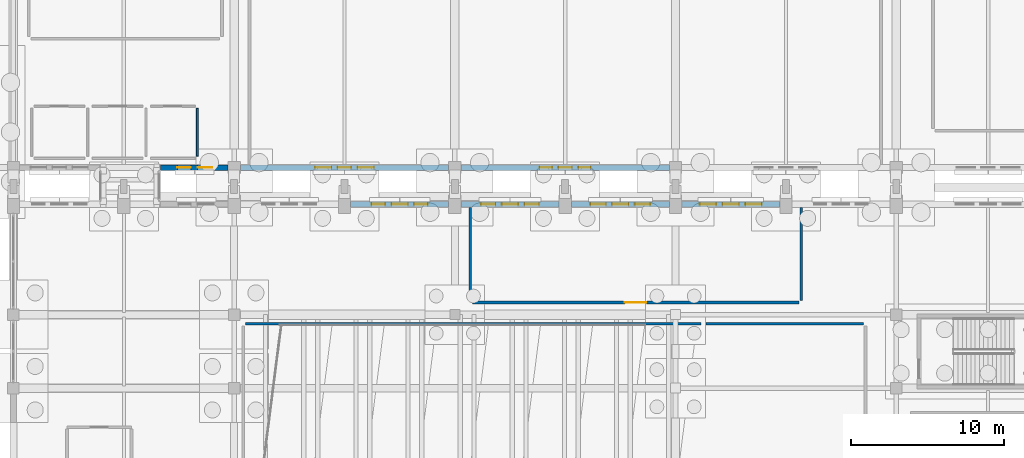
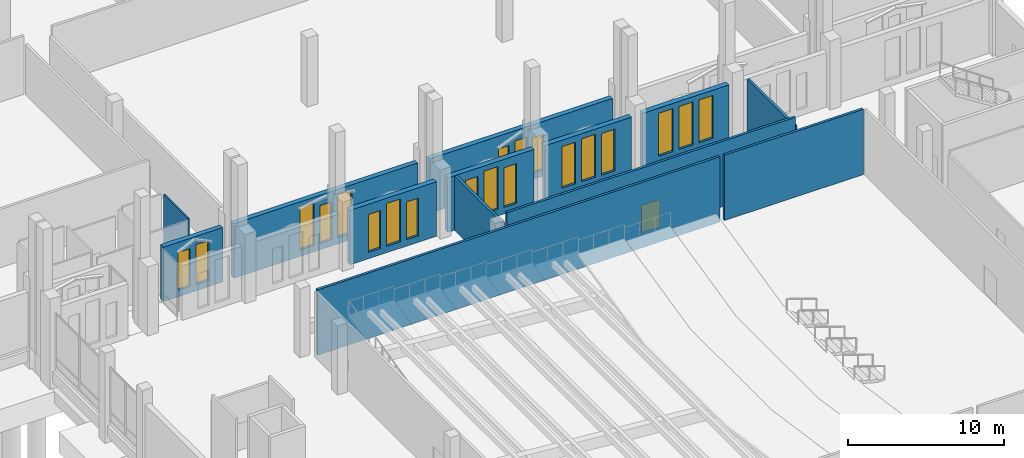
# One storey, part 145 of 192: 20 windows, 13 walls, 1 door, 21 openings.
"""IFC4 building model written with IfcOpenShell, lengths in metres."""

import ifcopenshell
import ifcopenshell.guid

model = None  # the IFC model being written
_history = None  # IfcOwnerHistory: only IFC2X3 demands one
_inside = {}  # id of a spatial element -> (the spatial element, [elements in it])
_under = {}  # id of a project, library or spatial element -> (it, [spatial elements below it])
_declared = {}  # id of a project -> (the project, [libraries it declares])
_typed = {}  # id of a type object -> (the type object, [elements of that type])
_made_of = {}  # id of a material, layer set ... -> (it, [elements and type objects made of it])


def new_model(schema):
    """Start an empty IFC model of exactly this schema.

    Asked for "IFC4X3", IfcOpenShell would pick the latest addendum, in which some entities
    have other attributes; the version numbers below select the first issue.
    IFC2X3 requires an IfcOwnerHistory on every rooted entity: one is made here for all.
    """
    global model, _history
    if schema == "IFC4X3":
        model = ifcopenshell.file(schema_version=(4, 3, 0, 0))
    else:
        model = ifcopenshell.file(schema=schema)
    _inside.clear()
    _under.clear()
    _declared.clear()
    _typed.clear()
    _made_of.clear()
    _history = None
    if model.schema == "IFC2X3":
        org = make("IfcOrganization", Name="unknown")
        user = make(
            "IfcPersonAndOrganization",
            ThePerson=make("IfcPerson", FamilyName="unknown"),
            TheOrganization=org,
        )
        app = make(
            "IfcApplication",
            ApplicationDeveloper=org,
            Version="unknown",
            ApplicationFullName="unknown",
            ApplicationIdentifier="unknown",
        )
        _history = make(
            "IfcOwnerHistory",
            OwningUser=user,
            OwningApplication=app,
            ChangeAction="ADDED",
            CreationDate=0,
        )
    return model


def make(cls, **values):
    """One entity of the class cls with the attributes given. An attribute that is None is left unset."""
    return model.create_entity(
        cls, **{name: value for name, value in values.items() if value is not None}
    )


def rooted(cls, **values):
    """An entity with a GlobalId (a new one), such as an element, a storey or a relation."""
    return make(cls, GlobalId=ifcopenshell.guid.new(), OwnerHistory=_history, **values)


def si_unit(unit_type, name, prefix=None):
    """IfcSIUnit, for example si_unit("LENGTHUNIT", "METRE", prefix="MILLI")."""
    return make("IfcSIUnit", UnitType=unit_type, Prefix=prefix, Name=name)


def assignment(units):
    """IfcUnitAssignment: the units of a project."""
    return None if units is None else make("IfcUnitAssignment", Units=units)


def point(xyz):
    """IfcCartesianPoint."""
    return None if xyz is None else make("IfcCartesianPoint", Coordinates=xyz)


def direction(xyz):
    """IfcDirection."""
    return None if xyz is None else make("IfcDirection", DirectionRatios=xyz)


def frame(location, z_axis=None, x_axis=None):
    """IfcAxis2Placement3D, a coordinate frame: its origin and axes. An axis left out is left unset."""
    return make(
        "IfcAxis2Placement3D",
        Location=point(location),
        Axis=direction(z_axis),
        RefDirection=direction(x_axis),
    )


def frame_2d(location, x_axis=None):
    """IfcAxis2Placement2D, a coordinate frame in the plane: its origin and x axis."""
    return make(
        "IfcAxis2Placement2D", Location=point(location), RefDirection=direction(x_axis)
    )


def origin():
    """The frame at (0, 0, 0) with its axes left unset."""
    return frame((0.0, 0.0, 0.0))


def place(relative_to, where):
    """IfcLocalPlacement: puts the frame where relative to a parent placement (None: the world)."""
    return make(
        "IfcLocalPlacement", PlacementRelTo=relative_to, RelativePlacement=where
    )


def context(
    kind, dimensions, precision=None, world=None, true_north=None, identifier=None
):
    """IfcGeometricRepresentationContext, for example the 3D "Model" context."""
    return make(
        "IfcGeometricRepresentationContext",
        ContextIdentifier=identifier,
        ContextType=kind,
        CoordinateSpaceDimension=dimensions,
        Precision=precision,
        WorldCoordinateSystem=world,
        TrueNorth=true_north,
    )


def subcontext(parent, identifier, kind, view, scale=None):
    """IfcGeometricRepresentationSubContext, for example "Body" below "Model"."""
    return make(
        "IfcGeometricRepresentationSubContext",
        ContextIdentifier=identifier,
        ContextType=kind,
        ParentContext=parent,
        TargetScale=scale,
        TargetView=view,
    )


def project(units=None, contexts=None):
    """IfcProject with its units and contexts."""
    return rooted(
        "IfcProject",
        Name="project",
        RepresentationContexts=contexts,
        UnitsInContext=assignment(units),
    )


def spatial(cls, under=None, at=None, **own):
    """A site, building, storey or space (cls), placed at a placement, below another one or the project."""
    s = rooted(cls, ObjectPlacement=at, **own)
    if under is not None:
        _under.setdefault(under.id(), (under, []))[1].append(s)
    return s


def profile(cls, at=None, kind="AREA", **sizes):
    """A parametric profile (cls). Its sizes go by their IFC names, for example OverallWidth=200.0."""
    return make(cls, ProfileType=kind, Position=at, **sizes)


def rectangle(**sizes):
    """IfcRectangleProfileDef."""
    return profile("IfcRectangleProfileDef", **sizes)


def extrude(swept, where, along, depth):
    """IfcExtrudedAreaSolid: the profile swept, set in the frame where, extruded along a direction by depth."""
    return make(
        "IfcExtrudedAreaSolid",
        SweptArea=swept,
        Position=where,
        ExtrudedDirection=direction(along),
        Depth=depth,
    )


def shape(context_of_items, identifier, shape_type, items):
    """IfcShapeRepresentation: the items that make up one representation, for example the "Body"."""
    return make(
        "IfcShapeRepresentation",
        ContextOfItems=context_of_items,
        RepresentationIdentifier=identifier,
        RepresentationType=shape_type,
        Items=items,
    )


def material(Name=None, Category=None):
    """IfcMaterial."""
    return make("IfcMaterial", Name=Name, Category=Category)


def layer(
    of_material, thickness, ventilated=None, Name=None, Category=None, Priority=None
):
    """IfcMaterialLayer: one layer of a wall or slab, of a material (None: an air gap)."""
    return make(
        "IfcMaterialLayer",
        Material=of_material,
        LayerThickness=thickness,
        IsVentilated=ventilated,
        Name=Name,
        Category=Category,
        Priority=Priority,
    )


def layer_set(layers, Name=None):
    """IfcMaterialLayerSet."""
    return make("IfcMaterialLayerSet", MaterialLayers=layers, LayerSetName=Name)


def made_of(thing, what):
    """Note that an element or type object is made of a material, layer set ...; save() writes the relation."""
    if what is not None:
        _made_of.setdefault(what.id(), (what, []))[1].append(thing)
    return thing


def type_object(cls, material=None, **own):
    """A type object (cls), such as IfcWallType, which elements share."""
    return made_of(rooted(cls, **own), material)


def element(
    cls,
    number,
    at=None,
    inside=None,
    cuts=None,
    type_object=None,
    material=None,
    context=None,
    identifier="Body",
    shape_type=None,
    held_by="IfcProductDefinitionShape",
    body=None,
    shapes=None,
    **own,
):
    """One element of the class cls, such as IfcWall. Its Tag is "e" and its number.

    at: its placement. inside: the storey or other place that contains it. cuts: it is an
    opening in that element (IfcRelVoidsElement). A single representation is given by context,
    identifier, shape_type and body (its items); several are given by shapes. held_by: the class
    of the entity that holds the representations. save() writes the other relations.
    """
    e = rooted(cls, Tag="e%d" % number, ObjectPlacement=at, **own)
    if body is not None:
        shapes = [shape(context, identifier, shape_type, body)]
    if shapes is not None:
        e.Representation = make(held_by, Representations=shapes)
    if inside is not None:
        _inside.setdefault(inside.id(), (inside, []))[1].append(e)
    if cuts is not None:
        rooted(
            "IfcRelVoidsElement", RelatingBuildingElement=cuts, RelatedOpeningElement=e
        )
    if type_object is not None:
        _typed.setdefault(type_object.id(), (type_object, []))[1].append(e)
    return made_of(e, material)


def fill(opening, filler):
    """IfcRelFillsElement: the door or window that sits in an opening."""
    return rooted(
        "IfcRelFillsElement",
        RelatingOpeningElement=opening,
        RelatedBuildingElement=filler,
    )


def aggregate(whole, parts):
    """IfcRelAggregates: a whole, such as a stair, and the parts it consists of."""
    return rooted("IfcRelAggregates", RelatingObject=whole, RelatedObjects=parts)


def save(model, path):
    """Write the relations noted so far, then the file.

    IfcRelAggregates (storeys below a building ...), IfcRelContainedInSpatialStructure (elements
    in a storey), IfcRelDefinesByType, IfcRelAssociatesMaterial and IfcRelDeclares: one each for
    every whole, place, type object, material and project.
    """
    for whole, parts in _under.values():
        aggregate(whole, parts)
    for where, things in _inside.values():
        rooted(
            "IfcRelContainedInSpatialStructure",
            RelatedElements=things,
            RelatingStructure=where,
        )
    for kind, things in _typed.values():
        rooted("IfcRelDefinesByType", RelatedObjects=things, RelatingType=kind)
    for what, things in _made_of.values():
        rooted("IfcRelAssociatesMaterial", RelatedObjects=things, RelatingMaterial=what)
    for by, libraries in _declared.values():
        rooted("IfcRelDeclares", RelatingContext=by, RelatedDefinitions=libraries)
    model.write(path)


model = new_model("IFC4")

# Units and contexts
model_context = context("Model", 3, precision=1e-05, world=origin(), true_north=direction((0.0, 1.0)))
body_context = subcontext(model_context, "Body", "Model", "MODEL_VIEW")
ifc_project = project(units=[si_unit("LENGTHUNIT", "METRE"), si_unit("AREAUNIT", "SQUARE_METRE"), si_unit("VOLUMEUNIT", "CUBIC_METRE"), si_unit("PLANEANGLEUNIT", "RADIAN"), si_unit("MASSUNIT", "GRAM", prefix="KILO")], contexts=[model_context])

# Site, building, storey
site_placement = place(None, origin())
site = spatial("IfcSite", under=ifc_project, at=site_placement, CompositionType="ELEMENT")
building_placement = place(site_placement, origin())
building = spatial("IfcBuilding", under=site, at=building_placement, Name="Cendralis Lancet Convention Centre", CompositionType="ELEMENT")
storey_placement = place(building_placement, origin())
storey = spatial("IfcBuildingStorey", under=building, at=storey_placement, Name="L00", CompositionType="ELEMENT", Elevation=0.0)

# Wall, openings, windows
ifc_material_1 = material(Name="Buff sandstone ashlar and Concrete G40 (C40/50)", Category="masonry")
ifc_layer_1 = layer(ifc_material_1, 0.360107421875, Name="Buff sandstone ashlar and Concrete G40 (C40/50)")
ifc_layer_set_1 = layer_set([ifc_layer_1], Name="Buff sandstone ashlar and Concrete G40 (C40/50)")
wall_type_1 = type_object("IfcWallType", Name="ARC-EW-W360", PredefinedType="STANDARD", material=ifc_layer_set_1)
wall_1_placement = place(storey_placement, frame((153.19189453125, 93.60009765625, 0.0), z_axis=(0.0, 0.0, 1.0), x_axis=(-1.0, 0.0, 0.0)))
wall_1 = element("IfcWall", 1, at=wall_1_placement, inside=storey, type_object=wall_type_1, Name="L00 V3 Exterior Wall EW-04 #0134", PredefinedType="STANDARD", context=body_context, shape_type="SweptSolid", body=[
    extrude(rectangle(XDim=4.391845703125, YDim=0.360107421875, at=frame_2d((2.19580078125, 0.0))), origin(), (0.0, 0.0, 1.0), 4.2548828125),
])
opening_1_placement = place(wall_1_placement, frame((1.035888671875, 0.0, 0.5)))
opening_1 = element("IfcOpeningElement", 2, at=opening_1_placement, cuts=wall_1, Name="Opening WN-09", PredefinedType="OPENING", context=body_context, shape_type="SweptSolid", body=[
    extrude(rectangle(XDim=0.93994140625, YDim=3.10009765625, at=frame_2d((0.469970703125, 1.550048828125))), frame((0.0, 0.18994140625, 0.0), z_axis=(0.0, -1.0, 0.0), x_axis=(1.0, 0.0, 0.0)), (0.0, 0.0, 1.0), 0.380126953125),
])
opening_2_placement = place(wall_1_placement, frame((2.416015625, 0.0, 0.5)))
opening_2 = element("IfcOpeningElement", 3, at=opening_2_placement, cuts=wall_1, Name="Opening WN-08", PredefinedType="OPENING", context=body_context, shape_type="SweptSolid", body=[
    extrude(rectangle(XDim=0.8798828125, YDim=2.949951171875, at=frame_2d((0.43994140625, 1.47509765625))), frame((0.0, 0.18994140625, 0.0), z_axis=(0.0, -1.0, 0.0), x_axis=(1.0, 0.0, 0.0)), (0.0, 0.0, 1.0), 0.380126953125),
])
ifc_material_2 = material(Name="Double-glazed low-E solar-control glass", Category="glass")
window_type_1 = type_object("IfcWindowType", Name="ARC-WN-LW08", PartitioningType="SINGLE_PANEL", PredefinedType="WINDOW", material=ifc_material_2)
window_1_placement = place(opening_2_placement, origin())
window_1 = element("IfcWindow", 4, at=window_1_placement, inside=storey, type_object=window_type_1, Name="Gothic Lancet Window WN-08 #0256", OverallHeight=2.949951171875, OverallWidth=0.8798828125, PartitioningType="SINGLE_PANEL", PredefinedType="WINDOW", context=body_context, shape_type="SweptSolid", body=[
    extrude(rectangle(XDim=0.8798828125, YDim=2.949951171875, at=frame_2d((0.43994140625, 1.47509765625))), frame((0.0, 0.030029296875, 0.0), z_axis=(0.0, -1.0, 0.0), x_axis=(1.0, 0.0, 0.0)), (0.0, 0.0, 1.0), 0.06005859375),
])
fill(opening_2, window_1)
window_type_2 = type_object("IfcWindowType", Name="ARC-WN-LW09", PartitioningType="SINGLE_PANEL", PredefinedType="WINDOW", material=ifc_material_2)
window_2_placement = place(opening_1_placement, origin())
window_2 = element("IfcWindow", 5, at=window_2_placement, inside=storey, type_object=window_type_2, Name="Gothic Lancet Window WN-09 #0255", OverallHeight=3.10009765625, OverallWidth=0.93994140625, PartitioningType="SINGLE_PANEL", PredefinedType="WINDOW", context=body_context, shape_type="SweptSolid", body=[
    extrude(rectangle(XDim=0.93994140625, YDim=3.10009765625, at=frame_2d((0.469970703125, 1.550048828125))), frame((0.0, 0.030029296875, 0.0), z_axis=(0.0, -1.0, 0.0), x_axis=(1.0, 0.0, 0.0)), (0.0, 0.0, 1.0), 0.06005859375),
])
fill(opening_1, window_2)

wall_2_placement = place(storey_placement, frame((167.592041015625, 93.60009765625, 0.0), z_axis=(0.0, 0.0, 1.0), x_axis=(-1.0, 0.0, 0.0)))
wall_2 = element("IfcWall", 6, at=wall_2_placement, inside=storey, type_object=wall_type_1, Name="L00 V3 Exterior Wall EW-04 #0136", PredefinedType="STANDARD", context=body_context, shape_type="SweptSolid", body=[
    extrude(rectangle(XDim=13.583984375, YDim=0.360107421875, at=frame_2d((6.7919921875, 0.0))), origin(), (0.0, 0.0, 1.0), 4.2548828125),
])
opening_3_placement = place(wall_2_placement, frame((4.8720703125, 0.0, 0.5)))
opening_3 = element("IfcOpeningElement", 7, at=opening_3_placement, cuts=wall_2, Name="Opening WN-11", PredefinedType="OPENING", context=body_context, shape_type="SweptSolid", body=[
    extrude(rectangle(XDim=1.06005859375, YDim=3.35009765625, at=frame_2d((0.530029296875, 1.675048828125))), frame((0.0, 0.18994140625, 0.0), z_axis=(0.0, -1.0, 0.0), x_axis=(1.0, 0.0, 0.0)), (0.0, 0.0, 1.0), 0.380126953125),
])
opening_4_placement = place(wall_2_placement, frame((6.35205078125, 0.0, 0.5)))
opening_4 = element("IfcOpeningElement", 8, at=opening_4_placement, cuts=wall_2, Name="Opening WN-08", PredefinedType="OPENING", context=body_context, shape_type="SweptSolid", body=[
    extrude(rectangle(XDim=0.8798828125, YDim=2.949951171875, at=frame_2d((0.43994140625, 1.47509765625))), frame((0.0, 0.18994140625, 0.0), z_axis=(0.0, -1.0, 0.0), x_axis=(1.0, 0.0, 0.0)), (0.0, 0.0, 1.0), 0.380126953125),
])
opening_5_placement = place(wall_2_placement, frame((7.652099609375, 0.0, 0.5)))
opening_5 = element("IfcOpeningElement", 9, at=opening_5_placement, cuts=wall_2, Name="Opening WN-11", PredefinedType="OPENING", context=body_context, shape_type="SweptSolid", body=[
    extrude(rectangle(XDim=1.06005859375, YDim=3.35009765625, at=frame_2d((0.530029296875, 1.675048828125))), frame((0.0, 0.18994140625, 0.0), z_axis=(0.0, -1.0, 0.0), x_axis=(1.0, 0.0, 0.0)), (0.0, 0.0, 1.0), 0.380126953125),
])
window_3_placement = place(opening_4_placement, origin())
window_3 = element("IfcWindow", 10, at=window_3_placement, inside=storey, type_object=window_type_1, Name="Gothic Lancet Window WN-08 #0261", OverallHeight=2.949951171875, OverallWidth=0.8798828125, PartitioningType="SINGLE_PANEL", PredefinedType="WINDOW", context=body_context, shape_type="SweptSolid", body=[
    extrude(rectangle(XDim=0.8798828125, YDim=2.949951171875, at=frame_2d((0.43994140625, 1.47509765625))), frame((0.0, 0.030029296875, 0.0), z_axis=(0.0, -1.0, 0.0), x_axis=(1.0, 0.0, 0.0)), (0.0, 0.0, 1.0), 0.06005859375),
])
fill(opening_4, window_3)
window_type_3 = type_object("IfcWindowType", Name="ARC-WN-LW11", PartitioningType="SINGLE_PANEL", PredefinedType="WINDOW", material=ifc_material_2)
window_4_placement = place(opening_3_placement, origin())
window_4 = element("IfcWindow", 11, at=window_4_placement, inside=storey, type_object=window_type_3, Name="Gothic Lancet Window WN-11 #0260", OverallHeight=3.35009765625, OverallWidth=1.06005859375, PartitioningType="SINGLE_PANEL", PredefinedType="WINDOW", context=body_context, shape_type="SweptSolid", body=[
    extrude(rectangle(XDim=1.06005859375, YDim=3.35009765625, at=frame_2d((0.530029296875, 1.675048828125))), frame((0.0, 0.030029296875, 0.0), z_axis=(0.0, -1.0, 0.0), x_axis=(1.0, 0.0, 0.0)), (0.0, 0.0, 1.0), 0.06005859375),
])
fill(opening_3, window_4)
window_5_placement = place(opening_5_placement, origin())
window_5 = element("IfcWindow", 12, at=window_5_placement, inside=storey, type_object=window_type_3, Name="Gothic Lancet Window WN-11 #0262", OverallHeight=3.35009765625, OverallWidth=1.06005859375, PartitioningType="SINGLE_PANEL", PredefinedType="WINDOW", context=body_context, shape_type="SweptSolid", body=[
    extrude(rectangle(XDim=1.06005859375, YDim=3.35009765625, at=frame_2d((0.530029296875, 1.675048828125))), frame((0.0, 0.030029296875, 0.0), z_axis=(0.0, -1.0, 0.0), x_axis=(1.0, 0.0, 0.0)), (0.0, 0.0, 1.0), 0.06005859375),
])
fill(opening_5, window_5)

wall_3_placement = place(storey_placement, frame((181.991943359375, 93.60009765625, 0.0), z_axis=(0.0, 0.0, 1.0), x_axis=(-1.0, 0.0, 0.0)))
wall_3 = element("IfcWall", 13, at=wall_3_placement, inside=storey, type_object=wall_type_1, Name="L00 V3 Exterior Wall EW-04 #0137", PredefinedType="STANDARD", context=body_context, shape_type="SweptSolid", body=[
    extrude(rectangle(XDim=13.583984375, YDim=0.360107421875, at=frame_2d((6.7919921875, 0.0))), origin(), (0.0, 0.0, 1.0), 4.2548828125),
])
opening_6_placement = place(wall_3_placement, frame((5.132080078125, 0.0, 0.5)))
opening_6 = element("IfcOpeningElement", 14, at=opening_6_placement, cuts=wall_3, Name="Opening WN-07", PredefinedType="OPENING", context=body_context, shape_type="SweptSolid", body=[
    extrude(rectangle(XDim=0.800048828125, YDim=2.75, at=frame_2d((0.39990234375, 1.375))), frame((0.0, 0.18994140625, 0.0), z_axis=(0.0, -1.0, 0.0), x_axis=(1.0, 0.0, 0.0)), (0.0, 0.0, 1.0), 0.380126953125),
])
opening_7_placement = place(wall_3_placement, frame((6.35205078125, 0.0, 0.5)))
opening_7 = element("IfcOpeningElement", 15, at=opening_7_placement, cuts=wall_3, Name="Opening WN-08", PredefinedType="OPENING", context=body_context, shape_type="SweptSolid", body=[
    extrude(rectangle(XDim=0.8798828125, YDim=2.949951171875, at=frame_2d((0.43994140625, 1.47509765625))), frame((0.0, 0.18994140625, 0.0), z_axis=(0.0, -1.0, 0.0), x_axis=(1.0, 0.0, 0.0)), (0.0, 0.0, 1.0), 0.380126953125),
])
opening_8_placement = place(wall_3_placement, frame((7.652099609375, 0.0, 0.5)))
opening_8 = element("IfcOpeningElement", 16, at=opening_8_placement, cuts=wall_3, Name="Opening WN-07", PredefinedType="OPENING", context=body_context, shape_type="SweptSolid", body=[
    extrude(rectangle(XDim=0.800048828125, YDim=2.75, at=frame_2d((0.39990234375, 1.375))), frame((0.0, 0.18994140625, 0.0), z_axis=(0.0, -1.0, 0.0), x_axis=(1.0, 0.0, 0.0)), (0.0, 0.0, 1.0), 0.380126953125),
])
window_type_4 = type_object("IfcWindowType", Name="ARC-WN-LW07", PartitioningType="SINGLE_PANEL", PredefinedType="WINDOW", material=ifc_material_2)
window_6_placement = place(opening_6_placement, origin())
window_6 = element("IfcWindow", 17, at=window_6_placement, inside=storey, type_object=window_type_4, Name="Gothic Lancet Window WN-07 #0263", OverallHeight=2.75, OverallWidth=0.800048828125, PartitioningType="SINGLE_PANEL", PredefinedType="WINDOW", context=body_context, shape_type="SweptSolid", body=[
    extrude(rectangle(XDim=0.800048828125, YDim=2.75, at=frame_2d((0.39990234375, 1.375))), frame((0.0, 0.030029296875, 0.0), z_axis=(0.0, -1.0, 0.0), x_axis=(1.0, 0.0, 0.0)), (0.0, 0.0, 1.0), 0.06005859375),
])
fill(opening_6, window_6)
window_7_placement = place(opening_8_placement, origin())
window_7 = element("IfcWindow", 18, at=window_7_placement, inside=storey, type_object=window_type_4, Name="Gothic Lancet Window WN-07 #0265", OverallHeight=2.75, OverallWidth=0.800048828125, PartitioningType="SINGLE_PANEL", PredefinedType="WINDOW", context=body_context, shape_type="SweptSolid", body=[
    extrude(rectangle(XDim=0.800048828125, YDim=2.75, at=frame_2d((0.39990234375, 1.375))), frame((0.0, 0.030029296875, 0.0), z_axis=(0.0, -1.0, 0.0), x_axis=(1.0, 0.0, 0.0)), (0.0, 0.0, 1.0), 0.06005859375),
])
fill(opening_8, window_7)
window_8_placement = place(opening_7_placement, origin())
window_8 = element("IfcWindow", 19, at=window_8_placement, inside=storey, type_object=window_type_1, Name="Gothic Lancet Window WN-08 #0264", OverallHeight=2.949951171875, OverallWidth=0.8798828125, PartitioningType="SINGLE_PANEL", PredefinedType="WINDOW", context=body_context, shape_type="SweptSolid", body=[
    extrude(rectangle(XDim=0.8798828125, YDim=2.949951171875, at=frame_2d((0.43994140625, 1.47509765625))), frame((0.0, 0.030029296875, 0.0), z_axis=(0.0, -1.0, 0.0), x_axis=(1.0, 0.0, 0.0)), (0.0, 0.0, 1.0), 0.06005859375),
])
fill(opening_7, window_8)

ifc_layer_2 = layer(ifc_material_1, 0.3798828125, Name="Buff sandstone ashlar and Concrete G40 (C40/50)")
ifc_layer_set_2 = layer_set([ifc_layer_2], Name="Buff sandstone ashlar and Concrete G40 (C40/50)")
wall_type_2 = type_object("IfcWallType", Name="ARC-EW-W380", PredefinedType="STANDARD", material=ifc_layer_set_2)
wall_4_placement = place(storey_placement, frame((161.2080078125, 91.199951171875, 0.0), z_axis=(0.0, 0.0, 1.0), x_axis=(1.0, 0.0, 0.0)))
wall_4 = element("IfcWall", 20, at=wall_4_placement, inside=storey, type_object=wall_type_2, Name="L00 V2 Exterior Wall EW-03 #0079", PredefinedType="STANDARD", context=body_context, shape_type="SweptSolid", body=[
    extrude(rectangle(XDim=6.384033203125, YDim=0.3798828125, at=frame_2d((3.19189453125, 0.0))), origin(), (0.0, 0.0, 1.0), 4.2548828125),
])
opening_9_placement = place(wall_4_placement, frame((1.362060546875, 0.0, 0.5)))
opening_9 = element("IfcOpeningElement", 21, at=opening_9_placement, cuts=wall_4, Name="Opening WN-08", PredefinedType="OPENING", context=body_context, shape_type="SweptSolid", body=[
    extrude(rectangle(XDim=0.8798828125, YDim=2.949951171875, at=frame_2d((0.43994140625, 1.47509765625))), frame((0.0, 0.199951171875, 0.0), z_axis=(0.0, -1.0, 0.0), x_axis=(1.0, 0.0, 0.0)), (0.0, 0.0, 1.0), 0.39990234375),
])
opening_10_placement = place(wall_4_placement, frame((2.662109375, 0.0, 0.5)))
opening_10 = element("IfcOpeningElement", 22, at=opening_10_placement, cuts=wall_4, Name="Opening WN-11", PredefinedType="OPENING", context=body_context, shape_type="SweptSolid", body=[
    extrude(rectangle(XDim=1.06005859375, YDim=3.35009765625, at=frame_2d((0.530029296875, 1.675048828125))), frame((0.0, 0.199951171875, 0.0), z_axis=(0.0, -1.0, 0.0), x_axis=(1.0, 0.0, 0.0)), (0.0, 0.0, 1.0), 0.39990234375),
])
opening_11_placement = place(wall_4_placement, frame((4.14208984375, 0.0, 0.5)))
opening_11 = element("IfcOpeningElement", 23, at=opening_11_placement, cuts=wall_4, Name="Opening WN-08", PredefinedType="OPENING", context=body_context, shape_type="SweptSolid", body=[
    extrude(rectangle(XDim=0.8798828125, YDim=2.949951171875, at=frame_2d((0.43994140625, 1.47509765625))), frame((0.0, 0.199951171875, 0.0), z_axis=(0.0, -1.0, 0.0), x_axis=(1.0, 0.0, 0.0)), (0.0, 0.0, 1.0), 0.39990234375),
])
window_9_placement = place(opening_9_placement, origin())
window_9 = element("IfcWindow", 24, at=window_9_placement, inside=storey, type_object=window_type_1, Name="Gothic Lancet Window WN-08 #0132", OverallHeight=2.949951171875, OverallWidth=0.8798828125, PartitioningType="SINGLE_PANEL", PredefinedType="WINDOW", context=body_context, shape_type="SweptSolid", body=[
    extrude(rectangle(XDim=0.8798828125, YDim=2.949951171875, at=frame_2d((0.43994140625, 1.47509765625))), frame((0.0, 0.030029296875, 0.0), z_axis=(0.0, -1.0, 0.0), x_axis=(1.0, 0.0, 0.0)), (0.0, 0.0, 1.0), 0.06005859375),
])
fill(opening_9, window_9)
window_10_placement = place(opening_11_placement, origin())
window_10 = element("IfcWindow", 25, at=window_10_placement, inside=storey, type_object=window_type_1, Name="Gothic Lancet Window WN-08 #0134", OverallHeight=2.949951171875, OverallWidth=0.8798828125, PartitioningType="SINGLE_PANEL", PredefinedType="WINDOW", context=body_context, shape_type="SweptSolid", body=[
    extrude(rectangle(XDim=0.8798828125, YDim=2.949951171875, at=frame_2d((0.43994140625, 1.47509765625))), frame((0.0, 0.030029296875, 0.0), z_axis=(0.0, -1.0, 0.0), x_axis=(1.0, 0.0, 0.0)), (0.0, 0.0, 1.0), 0.06005859375),
])
fill(opening_11, window_10)
window_11_placement = place(opening_10_placement, origin())
window_11 = element("IfcWindow", 26, at=window_11_placement, inside=storey, type_object=window_type_3, Name="Gothic Lancet Window WN-11 #0133", OverallHeight=3.35009765625, OverallWidth=1.06005859375, PartitioningType="SINGLE_PANEL", PredefinedType="WINDOW", context=body_context, shape_type="SweptSolid", body=[
    extrude(rectangle(XDim=1.06005859375, YDim=3.35009765625, at=frame_2d((0.530029296875, 1.675048828125))), frame((0.0, 0.030029296875, 0.0), z_axis=(0.0, -1.0, 0.0), x_axis=(1.0, 0.0, 0.0)), (0.0, 0.0, 1.0), 0.06005859375),
])
fill(opening_10, window_11)

wall_5_placement = place(storey_placement, frame((168.407958984375, 91.199951171875, 0.0), z_axis=(0.0, 0.0, 1.0), x_axis=(1.0, 0.0, 0.0)))
wall_5 = element("IfcWall", 27, at=wall_5_placement, inside=storey, type_object=wall_type_2, Name="L00 V2 Exterior Wall EW-03 #0080", PredefinedType="STANDARD", context=body_context, shape_type="SweptSolid", body=[
    extrude(rectangle(XDim=6.384033203125, YDim=0.3798828125, at=frame_2d((3.19189453125, 0.0))), origin(), (0.0, 0.0, 1.0), 4.2548828125),
])
opening_12_placement = place(wall_5_placement, frame((1.302001953125, 0.0, 0.5)))
opening_12 = element("IfcOpeningElement", 28, at=opening_12_placement, cuts=wall_5, Name="Opening WN-09", PredefinedType="OPENING", context=body_context, shape_type="SweptSolid", body=[
    extrude(rectangle(XDim=0.93994140625, YDim=3.10009765625, at=frame_2d((0.469970703125, 1.550048828125))), frame((0.0, 0.199951171875, 0.0), z_axis=(0.0, -1.0, 0.0), x_axis=(1.0, 0.0, 0.0)), (0.0, 0.0, 1.0), 0.39990234375),
])
opening_13_placement = place(wall_5_placement, frame((2.662109375, 0.0, 0.5)))
opening_13 = element("IfcOpeningElement", 29, at=opening_13_placement, cuts=wall_5, Name="Opening WN-11", PredefinedType="OPENING", context=body_context, shape_type="SweptSolid", body=[
    extrude(rectangle(XDim=1.06005859375, YDim=3.35009765625, at=frame_2d((0.530029296875, 1.675048828125))), frame((0.0, 0.199951171875, 0.0), z_axis=(0.0, -1.0, 0.0), x_axis=(1.0, 0.0, 0.0)), (0.0, 0.0, 1.0), 0.39990234375),
])
opening_14_placement = place(wall_5_placement, frame((4.14208984375, 0.0, 0.5)))
opening_14 = element("IfcOpeningElement", 30, at=opening_14_placement, cuts=wall_5, Name="Opening WN-09", PredefinedType="OPENING", context=body_context, shape_type="SweptSolid", body=[
    extrude(rectangle(XDim=0.93994140625, YDim=3.10009765625, at=frame_2d((0.469970703125, 1.550048828125))), frame((0.0, 0.199951171875, 0.0), z_axis=(0.0, -1.0, 0.0), x_axis=(1.0, 0.0, 0.0)), (0.0, 0.0, 1.0), 0.39990234375),
])
window_12_placement = place(opening_12_placement, origin())
window_12 = element("IfcWindow", 31, at=window_12_placement, inside=storey, type_object=window_type_2, Name="Gothic Lancet Window WN-09 #0135", OverallHeight=3.10009765625, OverallWidth=0.93994140625, PartitioningType="SINGLE_PANEL", PredefinedType="WINDOW", context=body_context, shape_type="SweptSolid", body=[
    extrude(rectangle(XDim=0.93994140625, YDim=3.10009765625, at=frame_2d((0.469970703125, 1.550048828125))), frame((0.0, 0.030029296875, 0.0), z_axis=(0.0, -1.0, 0.0), x_axis=(1.0, 0.0, 0.0)), (0.0, 0.0, 1.0), 0.06005859375),
])
fill(opening_12, window_12)
window_13_placement = place(opening_14_placement, origin())
window_13 = element("IfcWindow", 32, at=window_13_placement, inside=storey, type_object=window_type_2, Name="Gothic Lancet Window WN-09 #0137", OverallHeight=3.10009765625, OverallWidth=0.93994140625, PartitioningType="SINGLE_PANEL", PredefinedType="WINDOW", context=body_context, shape_type="SweptSolid", body=[
    extrude(rectangle(XDim=0.93994140625, YDim=3.10009765625, at=frame_2d((0.469970703125, 1.550048828125))), frame((0.0, 0.030029296875, 0.0), z_axis=(0.0, -1.0, 0.0), x_axis=(1.0, 0.0, 0.0)), (0.0, 0.0, 1.0), 0.06005859375),
])
fill(opening_14, window_13)
window_14_placement = place(opening_13_placement, origin())
window_14 = element("IfcWindow", 33, at=window_14_placement, inside=storey, type_object=window_type_3, Name="Gothic Lancet Window WN-11 #0136", OverallHeight=3.35009765625, OverallWidth=1.06005859375, PartitioningType="SINGLE_PANEL", PredefinedType="WINDOW", context=body_context, shape_type="SweptSolid", body=[
    extrude(rectangle(XDim=1.06005859375, YDim=3.35009765625, at=frame_2d((0.530029296875, 1.675048828125))), frame((0.0, 0.030029296875, 0.0), z_axis=(0.0, -1.0, 0.0), x_axis=(1.0, 0.0, 0.0)), (0.0, 0.0, 1.0), 0.06005859375),
])
fill(opening_13, window_14)

wall_6_placement = place(storey_placement, frame((175.60791015625, 91.199951171875, 0.0), z_axis=(0.0, 0.0, 1.0), x_axis=(1.0, 0.0, 0.0)))
wall_6 = element("IfcWall", 34, at=wall_6_placement, inside=storey, type_object=wall_type_2, Name="L00 V2 Exterior Wall EW-03 #0081", PredefinedType="STANDARD", context=body_context, shape_type="SweptSolid", body=[
    extrude(rectangle(XDim=6.384033203125, YDim=0.3798828125, at=frame_2d((3.19189453125, 0.0))), origin(), (0.0, 0.0, 1.0), 4.2548828125),
])
opening_15_placement = place(wall_6_placement, frame((1.241943359375, 0.0, 0.5)))
opening_15 = element("IfcOpeningElement", 35, at=opening_15_placement, cuts=wall_6, Name="Opening WN-10", PredefinedType="OPENING", context=body_context, shape_type="SweptSolid", body=[
    extrude(rectangle(XDim=1.0, YDim=3.25, at=frame_2d((0.5, 1.625))), frame((0.0, 0.199951171875, 0.0), z_axis=(0.0, -1.0, 0.0), x_axis=(1.0, 0.0, 0.0)), (0.0, 0.0, 1.0), 0.39990234375),
])
opening_16_placement = place(wall_6_placement, frame((2.662109375, 0.0, 0.5)))
opening_16 = element("IfcOpeningElement", 36, at=opening_16_placement, cuts=wall_6, Name="Opening WN-11", PredefinedType="OPENING", context=body_context, shape_type="SweptSolid", body=[
    extrude(rectangle(XDim=1.06005859375, YDim=3.35009765625, at=frame_2d((0.530029296875, 1.675048828125))), frame((0.0, 0.199951171875, 0.0), z_axis=(0.0, -1.0, 0.0), x_axis=(1.0, 0.0, 0.0)), (0.0, 0.0, 1.0), 0.39990234375),
])
opening_17_placement = place(wall_6_placement, frame((4.14208984375, 0.0, 0.5)))
opening_17 = element("IfcOpeningElement", 37, at=opening_17_placement, cuts=wall_6, Name="Opening WN-10", PredefinedType="OPENING", context=body_context, shape_type="SweptSolid", body=[
    extrude(rectangle(XDim=1.0, YDim=3.25, at=frame_2d((0.5, 1.625))), frame((0.0, 0.199951171875, 0.0), z_axis=(0.0, -1.0, 0.0), x_axis=(1.0, 0.0, 0.0)), (0.0, 0.0, 1.0), 0.39990234375),
])
window_type_5 = type_object("IfcWindowType", Name="ARC-WN-LW10", PartitioningType="SINGLE_PANEL", PredefinedType="WINDOW", material=ifc_material_2)
window_15_placement = place(opening_15_placement, origin())
window_15 = element("IfcWindow", 38, at=window_15_placement, inside=storey, type_object=window_type_5, Name="Gothic Lancet Window WN-10 #0138", OverallHeight=3.25, OverallWidth=1.0, PartitioningType="SINGLE_PANEL", PredefinedType="WINDOW", context=body_context, shape_type="SweptSolid", body=[
    extrude(rectangle(XDim=1.0, YDim=3.25, at=frame_2d((0.5, 1.625))), frame((0.0, 0.030029296875, 0.0), z_axis=(0.0, -1.0, 0.0), x_axis=(1.0, 0.0, 0.0)), (0.0, 0.0, 1.0), 0.06005859375),
])
fill(opening_15, window_15)
window_16_placement = place(opening_17_placement, origin())
window_16 = element("IfcWindow", 39, at=window_16_placement, inside=storey, type_object=window_type_5, Name="Gothic Lancet Window WN-10 #0140", OverallHeight=3.25, OverallWidth=1.0, PartitioningType="SINGLE_PANEL", PredefinedType="WINDOW", context=body_context, shape_type="SweptSolid", body=[
    extrude(rectangle(XDim=1.0, YDim=3.25, at=frame_2d((0.5, 1.625))), frame((0.0, 0.030029296875, 0.0), z_axis=(0.0, -1.0, 0.0), x_axis=(1.0, 0.0, 0.0)), (0.0, 0.0, 1.0), 0.06005859375),
])
fill(opening_17, window_16)
window_17_placement = place(opening_16_placement, origin())
window_17 = element("IfcWindow", 40, at=window_17_placement, inside=storey, type_object=window_type_3, Name="Gothic Lancet Window WN-11 #0139", OverallHeight=3.35009765625, OverallWidth=1.06005859375, PartitioningType="SINGLE_PANEL", PredefinedType="WINDOW", context=body_context, shape_type="SweptSolid", body=[
    extrude(rectangle(XDim=1.06005859375, YDim=3.35009765625, at=frame_2d((0.530029296875, 1.675048828125))), frame((0.0, 0.030029296875, 0.0), z_axis=(0.0, -1.0, 0.0), x_axis=(1.0, 0.0, 0.0)), (0.0, 0.0, 1.0), 0.06005859375),
])
fill(opening_16, window_17)

wall_7_placement = place(storey_placement, frame((182.80810546875, 91.199951171875, 0.0), z_axis=(0.0, 0.0, 1.0), x_axis=(1.0, 0.0, 0.0)))
wall_7 = element("IfcWall", 41, at=wall_7_placement, inside=storey, type_object=wall_type_2, Name="L00 V2 Exterior Wall EW-03 #0082", PredefinedType="STANDARD", context=body_context, shape_type="SweptSolid", body=[
    extrude(rectangle(XDim=6.3837890625, YDim=0.3798828125, at=frame_2d((3.19189453125, 0.0))), origin(), (0.0, 0.0, 1.0), 4.2548828125),
])
opening_18_placement = place(wall_7_placement, frame((1.181884765625, 0.0, 0.5)))
opening_18 = element("IfcOpeningElement", 42, at=opening_18_placement, cuts=wall_7, Name="Opening WN-11", PredefinedType="OPENING", context=body_context, shape_type="SweptSolid", body=[
    extrude(rectangle(XDim=1.06005859375, YDim=3.35009765625, at=frame_2d((0.530029296875, 1.675048828125))), frame((0.0, 0.199951171875, 0.0), z_axis=(0.0, -1.0, 0.0), x_axis=(1.0, 0.0, 0.0)), (0.0, 0.0, 1.0), 0.39990234375),
])
opening_19_placement = place(wall_7_placement, frame((2.662109375, 0.0, 0.5)))
opening_19 = element("IfcOpeningElement", 43, at=opening_19_placement, cuts=wall_7, Name="Opening WN-11", PredefinedType="OPENING", context=body_context, shape_type="SweptSolid", body=[
    extrude(rectangle(XDim=1.06005859375, YDim=3.35009765625, at=frame_2d((0.530029296875, 1.675048828125))), frame((0.0, 0.199951171875, 0.0), z_axis=(0.0, -1.0, 0.0), x_axis=(1.0, 0.0, 0.0)), (0.0, 0.0, 1.0), 0.39990234375),
])
opening_20_placement = place(wall_7_placement, frame((4.14208984375, 0.0, 0.5)))
opening_20 = element("IfcOpeningElement", 44, at=opening_20_placement, cuts=wall_7, Name="Opening WN-11", PredefinedType="OPENING", context=body_context, shape_type="SweptSolid", body=[
    extrude(rectangle(XDim=1.06005859375, YDim=3.35009765625, at=frame_2d((0.530029296875, 1.675048828125))), frame((0.0, 0.199951171875, 0.0), z_axis=(0.0, -1.0, 0.0), x_axis=(1.0, 0.0, 0.0)), (0.0, 0.0, 1.0), 0.39990234375),
])
window_18_placement = place(opening_18_placement, origin())
window_18 = element("IfcWindow", 45, at=window_18_placement, inside=storey, type_object=window_type_3, Name="Gothic Lancet Window WN-11 #0141", OverallHeight=3.35009765625, OverallWidth=1.06005859375, PartitioningType="SINGLE_PANEL", PredefinedType="WINDOW", context=body_context, shape_type="SweptSolid", body=[
    extrude(rectangle(XDim=1.06005859375, YDim=3.35009765625, at=frame_2d((0.530029296875, 1.675048828125))), frame((0.0, 0.030029296875, 0.0), z_axis=(0.0, -1.0, 0.0), x_axis=(1.0, 0.0, 0.0)), (0.0, 0.0, 1.0), 0.06005859375),
])
fill(opening_18, window_18)
window_19_placement = place(opening_19_placement, origin())
window_19 = element("IfcWindow", 46, at=window_19_placement, inside=storey, type_object=window_type_3, Name="Gothic Lancet Window WN-11 #0142", OverallHeight=3.35009765625, OverallWidth=1.06005859375, PartitioningType="SINGLE_PANEL", PredefinedType="WINDOW", context=body_context, shape_type="SweptSolid", body=[
    extrude(rectangle(XDim=1.06005859375, YDim=3.35009765625, at=frame_2d((0.530029296875, 1.675048828125))), frame((0.0, 0.030029296875, 0.0), z_axis=(0.0, -1.0, 0.0), x_axis=(1.0, 0.0, 0.0)), (0.0, 0.0, 1.0), 0.06005859375),
])
fill(opening_19, window_19)
window_20_placement = place(opening_20_placement, origin())
window_20 = element("IfcWindow", 47, at=window_20_placement, inside=storey, type_object=window_type_3, Name="Gothic Lancet Window WN-11 #0143", OverallHeight=3.35009765625, OverallWidth=1.06005859375, PartitioningType="SINGLE_PANEL", PredefinedType="WINDOW", context=body_context, shape_type="SweptSolid", body=[
    extrude(rectangle(XDim=1.06005859375, YDim=3.35009765625, at=frame_2d((0.530029296875, 1.675048828125))), frame((0.0, 0.030029296875, 0.0), z_axis=(0.0, -1.0, 0.0), x_axis=(1.0, 0.0, 0.0)), (0.0, 0.0, 1.0), 0.06005859375),
])
fill(opening_20, window_20)

# Walls
ifc_material_3 = material(Name="Acoustic fire-rated gypsum board on steel studs", Category="steel")
ifc_layer_3 = layer(ifc_material_3, 0.1201171875, Name="Acoustic fire-rated gypsum board on steel studs")
ifc_layer_set_3 = layer_set([ifc_layer_3], Name="Acoustic fire-rated gypsum board on steel studs")
wall_type_3 = type_object("IfcWallType", Name="ARC-IW-P120", PredefinedType="PARTITIONING", material=ifc_layer_set_3)
wall_8_placement = place(storey_placement, frame((151.199951171875, 94.340087890625, 0.0), z_axis=(0.0, 0.0, 1.0), x_axis=(0.0, 1.0, 0.0)))
element("IfcWall", 48, at=wall_8_placement, inside=storey, type_object=wall_type_3, Name="L00 Interior Partition IW-05 #0159", PredefinedType="PARTITIONING", context=body_context, shape_type="SweptSolid", body=[
    extrude(rectangle(XDim=3.119873046875, YDim=0.1201171875, at=frame_2d((1.56005859375, 0.0))), origin(), (0.0, 0.0, 1.0), 5.10498046875),
])
ifc_layer_4 = layer(ifc_material_3, 0.179931640625, Name="Acoustic fire-rated gypsum board on steel studs")
ifc_layer_set_4 = layer_set([ifc_layer_4], Name="Acoustic fire-rated gypsum board on steel studs")
wall_type_4 = type_object("IfcWallType", Name="ARC-IW-P180", PredefinedType="PARTITIONING", material=ifc_layer_set_4)
wall_9_placement = place(storey_placement, frame((154.340087890625, 83.39990234375, 0.0), z_axis=(0.0, 0.0, 1.0), x_axis=(1.0, 0.0, 0.0)))
element("IfcWall", 49, at=wall_9_placement, inside=storey, type_object=wall_type_4, Name="L00 Interior Partition IW-02 #0057", PredefinedType="PARTITIONING", context=body_context, shape_type="SweptSolid", body=[
    extrude(rectangle(XDim=29.719970703125, YDim=0.179931640625, at=frame_2d((14.85986328125, 0.0))), origin(), (0.0, 0.0, 1.0), 5.10498046875),
])
wall_10_placement = place(storey_placement, frame((184.39990234375, 83.39990234375, 0.0), z_axis=(0.0, 0.0, 1.0), x_axis=(1.0, 0.0, 0.0)))
element("IfcWall", 50, at=wall_10_placement, inside=storey, type_object=wall_type_4, Name="L00 Interior Partition IW-02 #0060", PredefinedType="PARTITIONING", context=body_context, shape_type="SweptSolid", body=[
    extrude(rectangle(XDim=10.260009765625, YDim=0.179931640625, at=frame_2d((5.1298828125, 0.0))), origin(), (0.0, 0.0, 1.0), 5.10498046875),
])

# Wall, opening, door
wall_11_placement = place(storey_placement, frame((169.139892578125, 84.800048828125, 0.0), z_axis=(0.0, 0.0, 1.0), x_axis=(1.0, 0.0, 0.0)))
wall_11 = element("IfcWall", 51, at=wall_11_placement, inside=storey, type_object=wall_type_4, Name="L00 Interior Partition IW-02 #0066", PredefinedType="PARTITIONING", context=body_context, shape_type="SweptSolid", body=[
    extrude(rectangle(XDim=21.320068359375, YDim=0.179931640625, at=frame_2d((10.66015625, 0.0))), origin(), (0.0, 0.0, 1.0), 5.10498046875),
])
opening_21_placement = place(wall_11_placement, frame((9.9599609375, 0.0, 0.0)))
opening_21 = element("IfcOpeningElement", 52, at=opening_21_placement, cuts=wall_11, Name="Opening ID-14", PredefinedType="OPENING", context=body_context, shape_type="SweptSolid", body=[
    extrude(rectangle(XDim=1.39990234375, YDim=2.14990234375, at=frame_2d((0.699951171875, 1.074951171875))), frame((0.0, 0.099853515625, 0.0), z_axis=(0.0, -1.0, 0.0), x_axis=(1.0, 0.0, 0.0)), (0.0, 0.0, 1.0), 0.199951171875),
])
ifc_material_4 = material(Name="Acoustic Chilean lenga timber and steel fire leaf", Category="steel")
door_type = type_object("IfcDoorType", Name="ARC-DR-DB14", OperationType="NOTDEFINED", PredefinedType="DOOR", material=ifc_material_4)
door_placement = place(opening_21_placement, origin())
door = element("IfcDoor", 53, at=door_placement, inside=storey, type_object=door_type, Name="L00-D062 L00 Interior Door ID-14 #0022", OperationType="DOUBLE_DOOR_SINGLE_SWING", OverallHeight=2.14990234375, OverallWidth=1.39990234375, PredefinedType="DOOR", context=body_context, shape_type="SweptSolid", body=[
    extrude(rectangle(XDim=1.39990234375, YDim=2.14990234375, at=frame_2d((0.699951171875, 1.074951171875))), frame((0.0, 0.02490234375, 0.0), z_axis=(0.0, -1.0, 0.0), x_axis=(1.0, 0.0, 0.0)), (0.0, 0.0, 1.0), 0.050048828125),
])
fill(opening_21, door)

# Walls
for number, where, z_axis, x_axis, name in (
    (54, (169.0, 84.93994140625, 0.0), (0.0, 0.0, 1.0), (0.0, 1.0, 0.0), "L00 Interior Partition IW-02 #0067"),
    (55, (190.60009765625, 84.93994140625, 0.0), (0.0, 0.0, 1.0), (0.0, 1.0, 0.0), "L00 Interior Partition IW-02 #0068"),
):
    element("IfcWall", number, at=place(storey_placement, frame(where, z_axis=z_axis, x_axis=x_axis)), inside=storey, type_object=wall_type_4, Name=name, PredefinedType="PARTITIONING", context=body_context, shape_type="SweptSolid", body=[
        extrude(rectangle(XDim=6.06005859375, YDim=0.179931640625, at=frame_2d((3.030029296875, 0.0))), origin(), (0.0, 0.0, 1.0), 4.2548828125),
    ])

save(model, "model.ifc")
